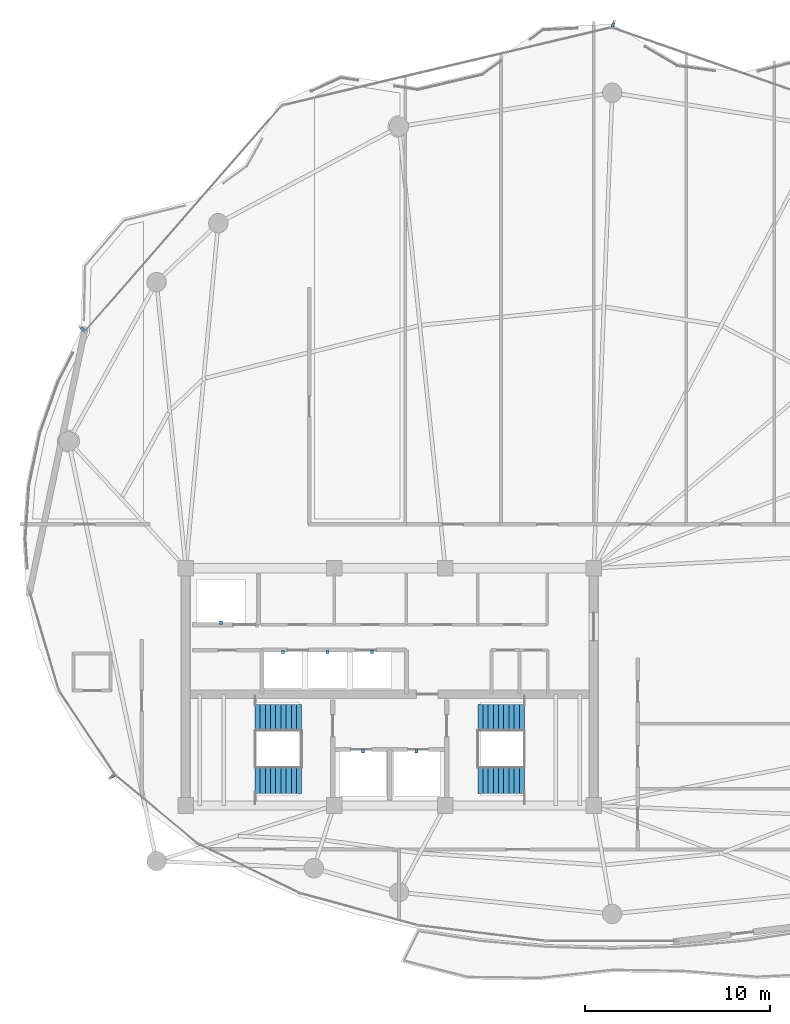
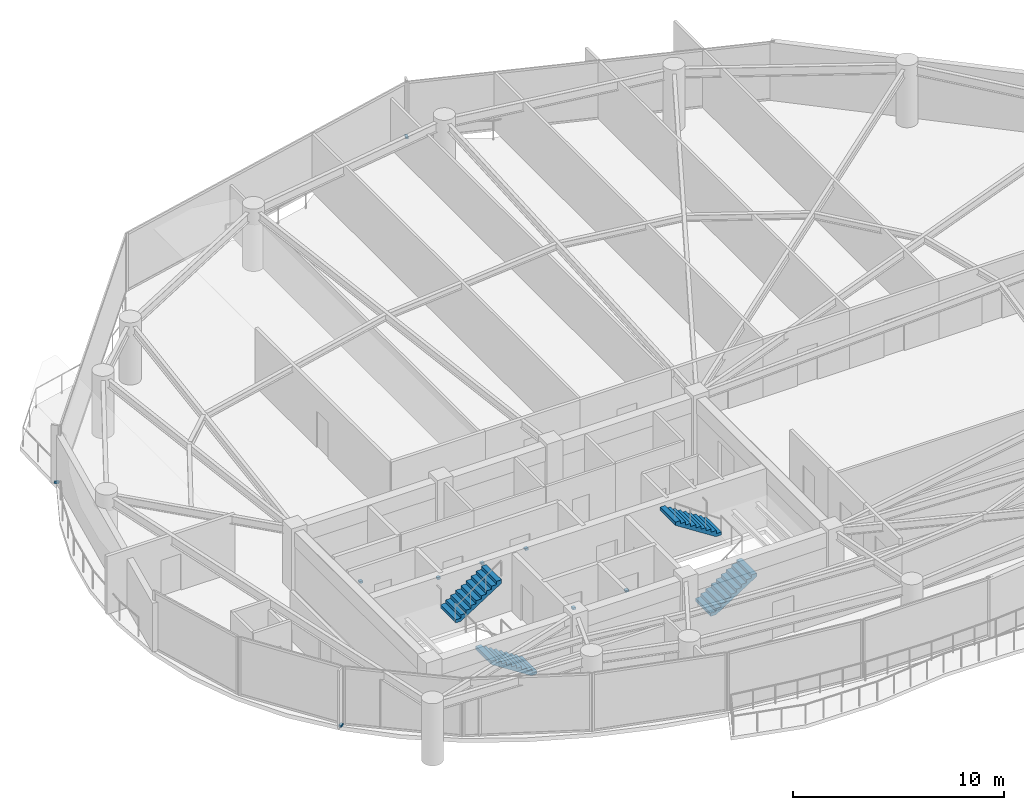
# One storey, part 25 of 28: 9 discrete accessories, 4 stair flights, 2 elements without a shape of their own.
"""IFC4 building model written with IfcOpenShell, lengths in metres."""

from ifc_helpers import new_model, si_unit, direction, frame, origin, origin_2d, place, context, subcontext, project, spatial, polyline, rectangle, outline, extrude, material, layer, layer_set, type_object, element, aggregate, save


model = new_model("IFC4")

# Units and contexts
model_context = context("Model", 3, precision=1e-05, world=origin(), true_north=direction((0.0, 1.0)))
body_context = subcontext(model_context, "Body", "Model", "MODEL_VIEW")
ifc_project = project(units=[si_unit("LENGTHUNIT", "METRE"), si_unit("AREAUNIT", "SQUARE_METRE"), si_unit("VOLUMEUNIT", "CUBIC_METRE"), si_unit("PLANEANGLEUNIT", "RADIAN"), si_unit("MASSUNIT", "GRAM", prefix="KILO")], contexts=[model_context])

# Site, building, storey
site_placement = place(None, origin())
site = spatial("IfcSite", under=ifc_project, at=site_placement, CompositionType="ELEMENT")
building_placement = place(site_placement, origin())
building = spatial("IfcBuilding", under=site, at=building_placement, Name="Kazevale Care Tower and Concert Hall", CompositionType="ELEMENT")
storey_placement = place(building_placement, frame((0.0, 0.0, 231.60009765625)))
storey = spatial("IfcBuildingStorey", under=building, at=storey_placement, Name="L61", CompositionType="ELEMENT", Elevation=231.60009765625)

# Stair, stair flights
ifc_material_1 = material(Name="Concrete C40", Category="concrete")
stair_type = type_object("IfcStairType", Name="Exit Stair Assembly ST1-Z3", PredefinedType="HALF_TURN_STAIR", material=ifc_material_1)
stair_1_placement = place(storey_placement, origin())
stair_1 = element("IfcStair", 1, at=stair_1_placement, inside=storey, type_object=stair_type, Name="stair:L61:ST1", PredefinedType="HALF_TURN_STAIR")
ifc_layer = layer(ifc_material_1, 0.159912109375)
ifc_layer_set = layer_set([ifc_layer], Name="Concrete C40")
stair_flight_type = type_object("IfcStairFlightType", Name="Exit Stair Flight ST1-Z3", PredefinedType="STRAIGHT", material=ifc_layer_set)
stair_flight_1_placement = place(storey_placement, frame((28.25, 24.97509765625, 0.0), z_axis=(0.0, 0.0, 1.0), x_axis=(-1.0, 0.0, 0.0)))
stair_flight_1 = element("IfcStairFlight", 2, at=stair_flight_1_placement, type_object=stair_flight_type, Name="ST1-Z3 flight 1", NumberOfRisers=10, NumberOfTreads=9, PredefinedType="STRAIGHT", RiserHeight=0.18, TreadLength=0.28, context=body_context, shape_type="SweptSolid", body=[
    extrude(outline(polyline([(0.0, 0.0), (0.0, 0.179931640625), (0.280029296875, 0.179931640625), (0.280029296875, 0.360107421875), (0.56005859375, 0.360107421875), (0.56005859375, 0.5400390625), (0.840087890625, 0.5400390625), (0.840087890625, 0.719970703125), (1.1201171875, 0.719970703125), (1.1201171875, 0.89990234375), (1.39990234375, 0.89990234375), (1.39990234375, 1.080078125), (1.679931640625, 1.080078125), (1.679931640625, 1.260009765625), (1.9599609375, 1.260009765625), (1.9599609375, 1.43994140625), (2.239990234375, 1.43994140625), (2.239990234375, 1.6201171875), (2.52001953125, 1.6201171875), (2.52001953125, 1.800048828125), (2.52001953125, 1.429931640625), (0.295654296875, 0.0), (0.0, 0.0)])), frame((0.0, 0.72509765625, 0.0), z_axis=(0.0, -1.0, 0.0), x_axis=(1.0, 0.0, 0.0)), (0.0, 0.0, 1.0), 1.449951171875),
])
stair_flight_2_placement = place(storey_placement, frame((25.72998046875, 28.324951171875, 1.7998046875), z_axis=(0.0, 0.0, 1.0), x_axis=(1.0, 0.0, 0.0)))
stair_flight_2 = element("IfcStairFlight", 3, at=stair_flight_2_placement, type_object=stair_flight_type, Name="ST1-Z3 flight 2", NumberOfRisers=10, NumberOfTreads=9, PredefinedType="STRAIGHT", RiserHeight=0.18, TreadLength=0.28, context=body_context, shape_type="SweptSolid", body=[
    extrude(outline(polyline([(0.0, 0.0), (0.0, 0.179931640625), (0.280029296875, 0.179931640625), (0.280029296875, 0.360107421875), (0.56005859375, 0.360107421875), (0.56005859375, 0.5400390625), (0.840087890625, 0.5400390625), (0.840087890625, 0.719970703125), (1.1201171875, 0.719970703125), (1.1201171875, 0.89990234375), (1.39990234375, 0.89990234375), (1.39990234375, 1.080078125), (1.679931640625, 1.080078125), (1.679931640625, 1.260009765625), (1.9599609375, 1.260009765625), (1.9599609375, 1.43994140625), (2.239990234375, 1.43994140625), (2.239990234375, 1.6201171875), (2.52001953125, 1.6201171875), (2.52001953125, 1.800048828125), (2.52001953125, 1.429931640625), (0.295654296875, 0.0), (0.0, 0.0)])), frame((0.0, 0.72509765625, 0.0), z_axis=(0.0, -1.0, 0.0), x_axis=(1.0, 0.0, 0.0)), (0.0, 0.0, 1.0), 1.449951171875),
])
aggregate(stair_1, [stair_flight_1, stair_flight_2])

stair_2_placement = place(storey_placement, origin())
stair_2 = element("IfcStair", 4, at=stair_2_placement, inside=storey, type_object=stair_type, Name="stair:L61:ST2", PredefinedType="HALF_TURN_STAIR")
stair_flight_3_placement = place(storey_placement, frame((37.75, 24.97509765625, 0.0), z_axis=(0.0, 0.0, 1.0), x_axis=(1.0, 0.0, 0.0)))
stair_flight_3 = element("IfcStairFlight", 5, at=stair_flight_3_placement, type_object=stair_flight_type, Name="ST1-Z3 flight 1", NumberOfRisers=10, NumberOfTreads=9, PredefinedType="STRAIGHT", RiserHeight=0.18, TreadLength=0.28, context=body_context, shape_type="SweptSolid", body=[
    extrude(outline(polyline([(0.0, 0.0), (0.0, 0.179931640625), (0.280029296875, 0.179931640625), (0.280029296875, 0.360107421875), (0.56005859375, 0.360107421875), (0.56005859375, 0.5400390625), (0.840087890625, 0.5400390625), (0.840087890625, 0.719970703125), (1.1201171875, 0.719970703125), (1.1201171875, 0.89990234375), (1.39990234375, 0.89990234375), (1.39990234375, 1.080078125), (1.679931640625, 1.080078125), (1.679931640625, 1.260009765625), (1.9599609375, 1.260009765625), (1.9599609375, 1.43994140625), (2.239990234375, 1.43994140625), (2.239990234375, 1.6201171875), (2.52001953125, 1.6201171875), (2.52001953125, 1.800048828125), (2.52001953125, 1.429931640625), (0.295654296875, 0.0), (0.0, 0.0)])), frame((0.0, 0.72509765625, 0.0), z_axis=(0.0, -1.0, 0.0), x_axis=(1.0, 0.0, 0.0)), (0.0, 0.0, 1.0), 1.449951171875),
])
stair_flight_4_placement = place(storey_placement, frame((40.27001953125, 28.324951171875, 1.7998046875), z_axis=(0.0, 0.0, 1.0), x_axis=(-1.0, 0.0, 0.0)))
stair_flight_4 = element("IfcStairFlight", 6, at=stair_flight_4_placement, type_object=stair_flight_type, Name="ST1-Z3 flight 2", NumberOfRisers=10, NumberOfTreads=9, PredefinedType="STRAIGHT", RiserHeight=0.18, TreadLength=0.28, context=body_context, shape_type="SweptSolid", body=[
    extrude(outline(polyline([(0.0, 0.0), (0.0, 0.179931640625), (0.280029296875, 0.179931640625), (0.280029296875, 0.360107421875), (0.56005859375, 0.360107421875), (0.56005859375, 0.5400390625), (0.840087890625, 0.5400390625), (0.840087890625, 0.719970703125), (1.1201171875, 0.719970703125), (1.1201171875, 0.89990234375), (1.39990234375, 0.89990234375), (1.39990234375, 1.080078125), (1.679931640625, 1.080078125), (1.679931640625, 1.260009765625), (1.9599609375, 1.260009765625), (1.9599609375, 1.43994140625), (2.239990234375, 1.43994140625), (2.239990234375, 1.6201171875), (2.52001953125, 1.6201171875), (2.52001953125, 1.800048828125), (2.52001953125, 1.429931640625), (0.295654296875, 0.0), (0.0, 0.0)])), frame((0.0, 0.72509765625, 0.0), z_axis=(0.0, -1.0, 0.0), x_axis=(1.0, 0.0, 0.0)), (0.0, 0.0, 1.0), 1.449951171875),
])
aggregate(stair_2, [stair_flight_3, stair_flight_4])

# Discrete accessories
ifc_material_2 = material(Name="Stainless Steel 316", Category="steel")
discrete_accessory_type_1 = type_object("IfcDiscreteAccessoryType", Name="Facade Fin Stainless Anchor Bracket BRK-1", PredefinedType="BRACKET", material=ifc_material_2)
for number, where, z_axis, x_axis, name in (
    (7, (18.04443359375, 25.1689453125, -0.000244140625), (0.0, 0.0, 1.0), (-0.832147748683, -0.554553986878, 0.0), "cw:L61:f11:brk"),
    (8, (16.42626953125, 49.291015625, -0.000244140625), (0.0, 0.0, 1.0), (-0.753792813636, 0.657112162503, 0.0), "cw:L61:f14:brk"),
    (9, (45.047607421875, 65.71533203125, -0.000244140625), (0.0, 0.0, 1.0), (0.328536977169, 0.944491108816, 0.0), "cw:L61:f16:brk"),
):
    element("IfcDiscreteAccessory", number, at=place(storey_placement, frame(where, z_axis=z_axis, x_axis=x_axis)), inside=storey, type_object=discrete_accessory_type_1, Name=name, PredefinedType="BRACKET", context=body_context, shape_type="SweptSolid", body=[
        extrude(rectangle(XDim=0.239990234375, YDim=0.139892578125, at=origin_2d()), origin(), (0.0, 0.0, 1.0), 0.1201171875),
    ])
discrete_accessory_type_2 = type_object("IfcDiscreteAccessoryType", Name="Hoistway Guide-Rail Wall Bracket HBRK-1", PredefinedType="BRACKET", material=ifc_material_2)
for number, where, z_axis, x_axis, name in (
    (10, (31.550048828125, 26.52001953125, 1.23974609375), (0.0, 0.0, 1.0), (1.0, 0.0, 0.0), "hbrk:FFL-1:L61"),
    (11, (34.449951171875, 26.52001953125, 1.23974609375), (0.0, 0.0, 1.0), (1.0, 0.0, 0.0), "hbrk:FFL-2:L61"),
    (12, (23.89990234375, 33.449951171875, 1.23974609375), (0.0, 0.0, 1.0), (1.0, 0.0, 0.0), "hbrk:SVL-1:L61"),
    (13, (27.25, 31.8798828125, 1.23974609375), (0.0, 0.0, 1.0), (1.0, 0.0, 0.0), "hbrk:PH-1:L61"),
    (14, (29.64990234375, 31.8798828125, 1.23974609375), (0.0, 0.0, 1.0), (1.0, 0.0, 0.0), "hbrk:PH-2:L61"),
    (15, (32.050048828125, 31.8798828125, 1.23974609375), (0.0, 0.0, 1.0), (1.0, 0.0, 0.0), "hbrk:PH-3:L61"),
):
    element("IfcDiscreteAccessory", number, at=place(storey_placement, frame(where, z_axis=z_axis, x_axis=x_axis)), inside=storey, type_object=discrete_accessory_type_2, Name=name, PredefinedType="BRACKET", context=body_context, shape_type="SweptSolid", body=[
        extrude(rectangle(XDim=0.159912109375, YDim=0.179931640625, at=origin_2d()), origin(), (0.0, 0.0, 1.0), 0.1201171875),
    ])

save(model, "model.ifc")
